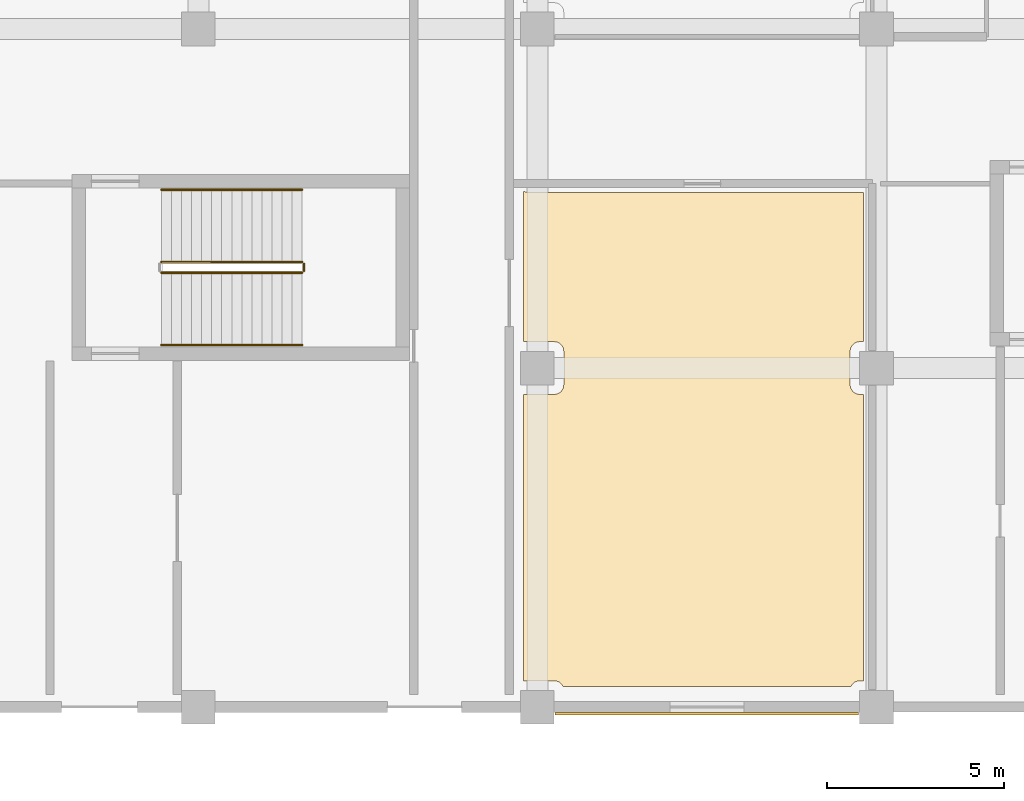
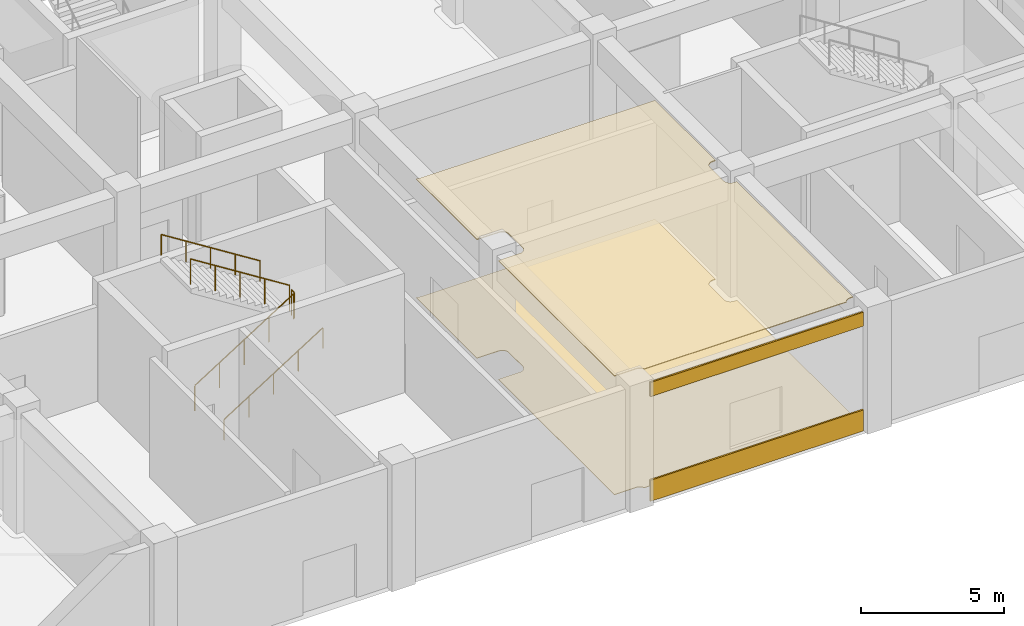
# One storey, part 47 of 74: 5 railings, 4 coverings.
"""IFC4 building model written with IfcOpenShell, lengths in metres."""

from ifc_helpers import new_model, si_unit, direction, frame, origin, origin_2d, place, context, subcontext, project, spatial, polyline, rectangle, circle, outline, extrude, material, layer, layer_set, type_object, element, save


model = new_model("IFC4")

# Units and contexts
model_context = context("Model", 3, precision=1e-05, world=origin(), true_north=direction((0.0, 1.0)))
body_context = subcontext(model_context, "Body", "Model", "MODEL_VIEW")
ifc_project = project(units=[si_unit("LENGTHUNIT", "METRE"), si_unit("AREAUNIT", "SQUARE_METRE"), si_unit("VOLUMEUNIT", "CUBIC_METRE"), si_unit("PLANEANGLEUNIT", "RADIAN"), si_unit("MASSUNIT", "GRAM", prefix="KILO")], contexts=[model_context])

# Site, building, storey
site_placement = place(None, origin())
site = spatial("IfcSite", under=ifc_project, at=site_placement, CompositionType="ELEMENT")
building_placement = place(site_placement, origin())
building = spatial("IfcBuilding", under=site, at=building_placement, Name="Cendralis Terraced Arcade", CompositionType="ELEMENT")
storey_placement = place(building_placement, origin())
storey = spatial("IfcBuildingStorey", under=building, at=storey_placement, Name="L00", CompositionType="ELEMENT", Elevation=0.0)

# Coverings
ifc_material_1 = material(Name="Warm Andean oak timber", Category="wood")
ifc_layer_1 = layer(ifc_material_1, 0.034912109375, Name="COV-CEIL-OAK-35")
ifc_layer_set_1 = layer_set([ifc_layer_1], Name="Warm Andean oak timber")
covering_type_1 = type_object("IfcCoveringType", Name="COV-CEIL-OAK-35", PredefinedType="CEILING", material=ifc_layer_set_1)
covering_1_placement = place(storey_placement, frame((0.0, 0.0, 5.054931640625)))
element("IfcCovering", 1, at=covering_1_placement, inside=storey, type_object=covering_type_1, Name="Acoustic Soffit Ceiling L00-031", PredefinedType="CEILING", context=body_context, shape_type="SweptSolid", body=[
    extrude(outline(polyline([(58.074951171875, 8.85498046875), (58.08740234375, 8.855224609375), (58.089111328125, 8.85546875), (58.113525390625, 8.85791015625), (58.115478515625, 8.858154296875), (58.1396484375, 8.86279296875), (58.1416015625, 8.86328125), (58.1650390625, 8.87060546875), (58.1669921875, 8.87109375), (58.189453125, 8.880615234375), (58.19140625, 8.88134765625), (58.212890625, 8.892822265625), (58.214599609375, 8.893798828125), (58.235107421875, 8.90771484375), (58.236572265625, 8.90869140625), (58.255615234375, 8.92431640625), (58.257080078125, 8.925537109375), (58.2744140625, 8.943115234375), (58.275634765625, 8.9443359375), (58.291259765625, 8.96337890625), (58.29248046875, 8.965087890625), (58.30615234375, 8.9853515625), (58.30712890625, 8.987060546875), (58.318603515625, 9.0087890625), (58.319580078125, 9.010498046875), (58.328857421875, 9.033203125), (58.32958984375, 9.034912109375), (58.336669921875, 9.058349609375), (58.337158203125, 9.060302734375), (58.341796875, 9.08447265625), (58.34228515625, 9.08642578125), (58.344482421875, 9.11083984375), (58.3447265625, 9.11279296875), (58.344970703125, 9.125), (58.344970703125, 10.074951171875), (58.3447265625, 10.08740234375), (58.344482421875, 10.089111328125), (58.34228515625, 10.113525390625), (58.341796875, 10.115478515625), (58.337158203125, 10.1396484375), (58.336669921875, 10.1416015625), (58.32958984375, 10.1650390625), (58.328857421875, 10.1669921875), (58.319580078125, 10.189453125), (58.318603515625, 10.19140625), (58.30712890625, 10.212890625), (58.30615234375, 10.214599609375), (58.29248046875, 10.235107421875), (58.291259765625, 10.236572265625), (58.275634765625, 10.255615234375), (58.2744140625, 10.257080078125), (58.257080078125, 10.2744140625), (58.255615234375, 10.275634765625), (58.236572265625, 10.291259765625), (58.235107421875, 10.29248046875), (58.214599609375, 10.30615234375), (58.212890625, 10.30712890625), (58.19140625, 10.318603515625), (58.189453125, 10.319580078125), (58.1669921875, 10.328857421875), (58.1650390625, 10.32958984375), (58.1416015625, 10.336669921875), (58.1396484375, 10.337158203125), (58.115478515625, 10.341796875), (58.113525390625, 10.34228515625), (58.089111328125, 10.344482421875), (58.08740234375, 10.3447265625), (58.074951171875, 10.344970703125), (57.2099609375, 10.344970703125), (57.2099609375, 14.59912109375), (57.219970703125, 14.5966796875), (57.22607421875, 14.59521484375), (57.231689453125, 14.593994140625), (57.23779296875, 14.592529296875), (57.249267578125, 14.59033203125), (57.25537109375, 14.589111328125), (57.260986328125, 14.588134765625), (57.26708984375, 14.587158203125), (57.327392578125, 14.578369140625), (57.33349609375, 14.577392578125), (57.33935546875, 14.57666015625), (57.345458984375, 14.576171875), (57.357177734375, 14.574951171875), (57.36328125, 14.574462890625), (57.369140625, 14.573974609375), (57.375244140625, 14.573486328125), (57.43603515625, 14.570556640625), (57.43896484375, 14.570556640625), (57.44189453125, 14.5703125), (57.445068359375, 14.5703125), (57.450927734375, 14.570068359375), (57.4541015625, 14.570068359375), (57.456787109375, 14.570068359375), (57.4599609375, 14.570068359375), (66.830078125, 14.570068359375), (66.830078125, 10.344970703125), (66.72509765625, 10.344970703125), (66.712646484375, 10.3447265625), (66.710693359375, 10.344482421875), (66.686279296875, 10.34228515625), (66.684326171875, 10.341796875), (66.660400390625, 10.337158203125), (66.658447265625, 10.336669921875), (66.635009765625, 10.32958984375), (66.633056640625, 10.328857421875), (66.610595703125, 10.319580078125), (66.608642578125, 10.318603515625), (66.5869140625, 10.30712890625), (66.58544921875, 10.30615234375), (66.56494140625, 10.29248046875), (66.5634765625, 10.291259765625), (66.54443359375, 10.275634765625), (66.54296875, 10.2744140625), (66.525634765625, 10.257080078125), (66.5244140625, 10.255615234375), (66.5087890625, 10.236572265625), (66.507568359375, 10.235107421875), (66.493896484375, 10.214599609375), (66.492919921875, 10.212890625), (66.4814453125, 10.19140625), (66.48046875, 10.189453125), (66.47119140625, 10.1669921875), (66.470458984375, 10.1650390625), (66.46337890625, 10.1416015625), (66.462890625, 10.1396484375), (66.4580078125, 10.115478515625), (66.457763671875, 10.113525390625), (66.455322265625, 10.089111328125), (66.455322265625, 10.08740234375), (66.455078125, 10.074951171875), (66.455078125, 9.125), (66.455322265625, 9.11279296875), (66.455322265625, 9.11083984375), (66.457763671875, 9.08642578125), (66.4580078125, 9.08447265625), (66.462890625, 9.060302734375), (66.46337890625, 9.058349609375), (66.470458984375, 9.034912109375), (66.47119140625, 9.033203125), (66.48046875, 9.010498046875), (66.4814453125, 9.0087890625), (66.492919921875, 8.987060546875), (66.493896484375, 8.9853515625), (66.507568359375, 8.965087890625), (66.5087890625, 8.96337890625), (66.5244140625, 8.9443359375), (66.525634765625, 8.943115234375), (66.54296875, 8.925537109375), (66.54443359375, 8.92431640625), (66.5634765625, 8.90869140625), (66.56494140625, 8.90771484375), (66.58544921875, 8.893798828125), (66.5869140625, 8.892822265625), (66.608642578125, 8.88134765625), (66.610595703125, 8.880615234375), (66.633056640625, 8.87109375), (66.635009765625, 8.87060546875), (66.658447265625, 8.86328125), (66.660400390625, 8.86279296875), (66.684326171875, 8.858154296875), (66.686279296875, 8.85791015625), (66.710693359375, 8.85546875), (66.712646484375, 8.855224609375), (66.72509765625, 8.85498046875), (66.830078125, 8.85498046875), (66.830078125, 0.7451171875), (66.72509765625, 0.7451171875), (66.712646484375, 0.74462890625), (66.710693359375, 0.74462890625), (66.686279296875, 0.7421875), (66.684326171875, 0.741943359375), (66.660400390625, 0.737060546875), (66.658447265625, 0.736572265625), (66.635009765625, 0.7294921875), (66.633056640625, 0.72900390625), (66.610595703125, 0.719482421875), (66.608642578125, 0.718505859375), (66.5869140625, 0.70703125), (66.58544921875, 0.7060546875), (66.56494140625, 0.6923828125), (66.5634765625, 0.69140625), (66.54443359375, 0.67578125), (66.54296875, 0.67431640625), (66.525634765625, 0.656982421875), (66.5244140625, 0.655517578125), (66.5087890625, 0.63671875), (66.507568359375, 0.635009765625), (66.493896484375, 0.614501953125), (66.492919921875, 0.613037109375), (66.4814453125, 0.59130859375), (66.480712890625, 0.590087890625), (58.3193359375, 0.590087890625), (58.318603515625, 0.59130859375), (58.30712890625, 0.613037109375), (58.30615234375, 0.614501953125), (58.29248046875, 0.635009765625), (58.291259765625, 0.63671875), (58.275634765625, 0.655517578125), (58.2744140625, 0.656982421875), (58.257080078125, 0.67431640625), (58.255615234375, 0.67578125), (58.236572265625, 0.69140625), (58.235107421875, 0.6923828125), (58.214599609375, 0.7060546875), (58.212890625, 0.70703125), (58.19140625, 0.718505859375), (58.189453125, 0.719482421875), (58.1669921875, 0.72900390625), (58.1650390625, 0.7294921875), (58.1416015625, 0.736572265625), (58.1396484375, 0.737060546875), (58.115478515625, 0.741943359375), (58.113525390625, 0.7421875), (58.089111328125, 0.74462890625), (58.08740234375, 0.74462890625), (58.074951171875, 0.7451171875), (57.2099609375, 0.7451171875), (57.2099609375, 8.85498046875), (58.074951171875, 8.85498046875)])), origin(), (0.0, 0.0, 1.0), 0.03515625),
])
ifc_material_2 = material(Name="Precast concrete f'c 40 MPa", Category="concrete")
ifc_layer_2 = layer(ifc_material_2, 0.06494140625, Name="COV-CLAD-GRC-65")
ifc_layer_set_2 = layer_set([ifc_layer_2], Name="Precast concrete f'c 40 MPa")
covering_type_2 = type_object("IfcCoveringType", Name="COV-CLAD-GRC-65", PredefinedType="CLADDING", material=ifc_layer_set_2)
covering_2_placement = place(storey_placement, frame((62.39990234375, -0.18994140625, 0.0), z_axis=(0.0, 0.0, 1.0), x_axis=(-1.0, 0.0, 0.0)))
element("IfcCovering", 2, at=covering_2_placement, inside=storey, type_object=covering_type_2, Name="Banded Precast Stone Spandrel Cladding L00-009", PredefinedType="CLADDING", context=body_context, shape_type="SweptSolid", body=[
    extrude(rectangle(XDim=8.593994140625, YDim=0.06494140625, at=origin_2d()), origin(), (0.0, 0.0, 1.0), 0.89990234375),
])
covering_3_placement = place(storey_placement, frame((62.39990234375, -0.18994140625, 4.469970703125), z_axis=(0.0, 0.0, 1.0), x_axis=(-1.0, 0.0, 0.0)))
element("IfcCovering", 3, at=covering_3_placement, inside=storey, type_object=covering_type_2, Name="Banded Precast Stone Lintel Cladding L00-010", PredefinedType="CLADDING", context=body_context, shape_type="SweptSolid", body=[
    extrude(rectangle(XDim=8.593994140625, YDim=0.06494140625, at=origin_2d()), origin(), (0.0, 0.0, 1.0), 0.60009765625),
])
ifc_layer_3 = layer(ifc_material_1, 0.02197265625, Name="COV-FLR-OAK-22")
ifc_layer_set_3 = layer_set([ifc_layer_3], Name="Warm Andean oak timber")
covering_type_3 = type_object("IfcCoveringType", Name="COV-FLR-OAK-22", PredefinedType="FLOORING", material=ifc_layer_set_3)
covering_4_placement = place(storey_placement, origin())
element("IfcCovering", 4, at=covering_4_placement, inside=storey, type_object=covering_type_3, Name="Interior Finish Flooring L00-031", PredefinedType="FLOORING", context=body_context, shape_type="SweptSolid", body=[
    extrude(outline(polyline([(58.074951171875, 8.85498046875), (58.08740234375, 8.855224609375), (58.089111328125, 8.85546875), (58.113525390625, 8.85791015625), (58.115478515625, 8.858154296875), (58.1396484375, 8.86279296875), (58.1416015625, 8.86328125), (58.1650390625, 8.87060546875), (58.1669921875, 8.87109375), (58.189453125, 8.880615234375), (58.19140625, 8.88134765625), (58.212890625, 8.892822265625), (58.214599609375, 8.893798828125), (58.235107421875, 8.90771484375), (58.236572265625, 8.90869140625), (58.255615234375, 8.92431640625), (58.257080078125, 8.925537109375), (58.2744140625, 8.943115234375), (58.275634765625, 8.9443359375), (58.291259765625, 8.96337890625), (58.29248046875, 8.965087890625), (58.30615234375, 8.9853515625), (58.30712890625, 8.987060546875), (58.318603515625, 9.0087890625), (58.319580078125, 9.010498046875), (58.328857421875, 9.033203125), (58.32958984375, 9.034912109375), (58.336669921875, 9.058349609375), (58.337158203125, 9.060302734375), (58.341796875, 9.08447265625), (58.34228515625, 9.08642578125), (58.344482421875, 9.11083984375), (58.3447265625, 9.11279296875), (58.344970703125, 9.125), (58.344970703125, 10.074951171875), (58.3447265625, 10.08740234375), (58.344482421875, 10.089111328125), (58.34228515625, 10.113525390625), (58.341796875, 10.115478515625), (58.337158203125, 10.1396484375), (58.336669921875, 10.1416015625), (58.32958984375, 10.1650390625), (58.328857421875, 10.1669921875), (58.319580078125, 10.189453125), (58.318603515625, 10.19140625), (58.30712890625, 10.212890625), (58.30615234375, 10.214599609375), (58.29248046875, 10.235107421875), (58.291259765625, 10.236572265625), (58.275634765625, 10.255615234375), (58.2744140625, 10.257080078125), (58.257080078125, 10.2744140625), (58.255615234375, 10.275634765625), (58.236572265625, 10.291259765625), (58.235107421875, 10.29248046875), (58.214599609375, 10.30615234375), (58.212890625, 10.30712890625), (58.19140625, 10.318603515625), (58.189453125, 10.319580078125), (58.1669921875, 10.328857421875), (58.1650390625, 10.32958984375), (58.1416015625, 10.336669921875), (58.1396484375, 10.337158203125), (58.115478515625, 10.341796875), (58.113525390625, 10.34228515625), (58.089111328125, 10.344482421875), (58.08740234375, 10.3447265625), (58.074951171875, 10.344970703125), (57.2099609375, 10.344970703125), (57.2099609375, 14.59912109375), (57.219970703125, 14.5966796875), (57.22607421875, 14.59521484375), (57.231689453125, 14.593994140625), (57.23779296875, 14.592529296875), (57.249267578125, 14.59033203125), (57.25537109375, 14.589111328125), (57.260986328125, 14.588134765625), (57.26708984375, 14.587158203125), (57.327392578125, 14.578369140625), (57.33349609375, 14.577392578125), (57.33935546875, 14.57666015625), (57.345458984375, 14.576171875), (57.357177734375, 14.574951171875), (57.36328125, 14.574462890625), (57.369140625, 14.573974609375), (57.375244140625, 14.573486328125), (57.43603515625, 14.570556640625), (57.43896484375, 14.570556640625), (57.44189453125, 14.5703125), (57.445068359375, 14.5703125), (57.450927734375, 14.570068359375), (57.4541015625, 14.570068359375), (57.456787109375, 14.570068359375), (57.4599609375, 14.570068359375), (66.830078125, 14.570068359375), (66.830078125, 10.344970703125), (66.72509765625, 10.344970703125), (66.712646484375, 10.3447265625), (66.710693359375, 10.344482421875), (66.686279296875, 10.34228515625), (66.684326171875, 10.341796875), (66.660400390625, 10.337158203125), (66.658447265625, 10.336669921875), (66.635009765625, 10.32958984375), (66.633056640625, 10.328857421875), (66.610595703125, 10.319580078125), (66.608642578125, 10.318603515625), (66.5869140625, 10.30712890625), (66.58544921875, 10.30615234375), (66.56494140625, 10.29248046875), (66.5634765625, 10.291259765625), (66.54443359375, 10.275634765625), (66.54296875, 10.2744140625), (66.525634765625, 10.257080078125), (66.5244140625, 10.255615234375), (66.5087890625, 10.236572265625), (66.507568359375, 10.235107421875), (66.493896484375, 10.214599609375), (66.492919921875, 10.212890625), (66.4814453125, 10.19140625), (66.48046875, 10.189453125), (66.47119140625, 10.1669921875), (66.470458984375, 10.1650390625), (66.46337890625, 10.1416015625), (66.462890625, 10.1396484375), (66.4580078125, 10.115478515625), (66.457763671875, 10.113525390625), (66.455322265625, 10.089111328125), (66.455322265625, 10.08740234375), (66.455078125, 10.074951171875), (66.455078125, 9.125), (66.455322265625, 9.11279296875), (66.455322265625, 9.11083984375), (66.457763671875, 9.08642578125), (66.4580078125, 9.08447265625), (66.462890625, 9.060302734375), (66.46337890625, 9.058349609375), (66.470458984375, 9.034912109375), (66.47119140625, 9.033203125), (66.48046875, 9.010498046875), (66.4814453125, 9.0087890625), (66.492919921875, 8.987060546875), (66.493896484375, 8.9853515625), (66.507568359375, 8.965087890625), (66.5087890625, 8.96337890625), (66.5244140625, 8.9443359375), (66.525634765625, 8.943115234375), (66.54296875, 8.925537109375), (66.54443359375, 8.92431640625), (66.5634765625, 8.90869140625), (66.56494140625, 8.90771484375), (66.58544921875, 8.893798828125), (66.5869140625, 8.892822265625), (66.608642578125, 8.88134765625), (66.610595703125, 8.880615234375), (66.633056640625, 8.87109375), (66.635009765625, 8.87060546875), (66.658447265625, 8.86328125), (66.660400390625, 8.86279296875), (66.684326171875, 8.858154296875), (66.686279296875, 8.85791015625), (66.710693359375, 8.85546875), (66.712646484375, 8.855224609375), (66.72509765625, 8.85498046875), (66.830078125, 8.85498046875), (66.830078125, 0.7451171875), (66.72509765625, 0.7451171875), (66.712646484375, 0.74462890625), (66.710693359375, 0.74462890625), (66.686279296875, 0.7421875), (66.684326171875, 0.741943359375), (66.660400390625, 0.737060546875), (66.658447265625, 0.736572265625), (66.635009765625, 0.7294921875), (66.633056640625, 0.72900390625), (66.610595703125, 0.719482421875), (66.608642578125, 0.718505859375), (66.5869140625, 0.70703125), (66.58544921875, 0.7060546875), (66.56494140625, 0.6923828125), (66.5634765625, 0.69140625), (66.54443359375, 0.67578125), (66.54296875, 0.67431640625), (66.525634765625, 0.656982421875), (66.5244140625, 0.655517578125), (66.5087890625, 0.63671875), (66.507568359375, 0.635009765625), (66.493896484375, 0.614501953125), (66.492919921875, 0.613037109375), (66.4814453125, 0.59130859375), (66.480712890625, 0.590087890625), (58.3193359375, 0.590087890625), (58.318603515625, 0.59130859375), (58.30712890625, 0.613037109375), (58.30615234375, 0.614501953125), (58.29248046875, 0.635009765625), (58.291259765625, 0.63671875), (58.275634765625, 0.655517578125), (58.2744140625, 0.656982421875), (58.257080078125, 0.67431640625), (58.255615234375, 0.67578125), (58.236572265625, 0.69140625), (58.235107421875, 0.6923828125), (58.214599609375, 0.7060546875), (58.212890625, 0.70703125), (58.19140625, 0.718505859375), (58.189453125, 0.719482421875), (58.1669921875, 0.72900390625), (58.1650390625, 0.7294921875), (58.1416015625, 0.736572265625), (58.1396484375, 0.737060546875), (58.115478515625, 0.741943359375), (58.113525390625, 0.7421875), (58.089111328125, 0.74462890625), (58.08740234375, 0.74462890625), (58.074951171875, 0.7451171875), (57.2099609375, 0.7451171875), (57.2099609375, 8.85498046875), (58.074951171875, 8.85498046875)])), origin(), (0.0, 0.0, 1.0), 0.02197265625),
])

# Railings
ifc_material_3 = material(Name="Brushed stainless steel AISI 316", Category="steel")
railing_type_1 = type_object("IfcRailingType", Name="RL-STAIR-GUARD-1100", PredefinedType="GUARDRAIL", material=ifc_material_3)
railing_1_placement = place(storey_placement, frame((46.949951171875, 12.300048828125, 0.179931640625)))
element("IfcRailing", 5, at=railing_1_placement, inside=storey, type_object=railing_type_1, Name="L00 ST-03 stair guard 1", PredefinedType="GUARDRAIL", context=body_context, shape_type="SweptSolid", body=[
    extrude(circle(Radius=0.02392578125, at=origin_2d()), frame((0.0, 0.0, 1.076171875), z_axis=(0.845486444383, 0.0, 0.533996884227), x_axis=(0.0, 1.0, 0.0)), (0.0, 0.0, 1.0), 4.71923828125),
    extrude(circle(Radius=0.02099609375, at=origin_2d()), origin(), (0.0, 0.0, 1.0), 1.052001953125),
    extrude(circle(Radius=0.02099609375, at=origin_2d()), frame((0.99755859375, 0.0, 0.6298828125)), (0.0, 0.0, 1.0), 1.052001953125),
    extrude(circle(Radius=0.02099609375, at=origin_2d()), frame((1.9951171875, 0.0, 1.260009765625)), (0.0, 0.0, 1.0), 1.052001953125),
    extrude(circle(Radius=0.02099609375, at=origin_2d()), frame((2.992431640625, 0.0, 1.89013671875)), (0.0, 0.0, 1.0), 1.052001953125),
    extrude(circle(Radius=0.02099609375, at=origin_2d()), frame((3.989990234375, 0.0, 2.52001953125)), (0.0, 0.0, 1.0), 1.052001953125),
])
railing_2_placement = place(storey_placement, frame((50.989990234375, 12.35009765625, 2.699951171875)))
element("IfcRailing", 6, at=railing_2_placement, inside=storey, type_object=railing_type_1, Name="L00 ST-03 stair guard 2", PredefinedType="GUARDRAIL", context=body_context, shape_type="SweptSolid", body=[
    extrude(circle(Radius=0.02392578125, at=origin_2d()), frame((0.0, 0.0, 1.076171875), z_axis=(0.0, 1.0, 0.0), x_axis=(-1.0, 0.0, 0.0)), (0.0, 0.0, 1.0), 0.199951171875),
    extrude(circle(Radius=0.02099609375, at=origin_2d()), origin(), (0.0, 0.0, 1.0), 1.052001953125),
    extrude(circle(Radius=0.02099609375, at=origin_2d()), frame((0.0, 0.199951171875, 0.0)), (0.0, 0.0, 1.0), 1.052001953125),
])
railing_3_placement = place(storey_placement, frame((50.93994140625, 12.60009765625, 2.8798828125)))
element("IfcRailing", 7, at=railing_3_placement, inside=storey, type_object=railing_type_1, Name="L00 ST-03 stair guard 3", PredefinedType="GUARDRAIL", context=body_context, shape_type="SweptSolid", body=[
    extrude(circle(Radius=0.02392578125, at=origin_2d()), frame((0.0, 0.0, 1.076171875), z_axis=(-0.845486444383, 0.0, 0.533996884227), x_axis=(0.0, -1.0, 0.0)), (0.0, 0.0, 1.0), 4.71923828125),
    extrude(circle(Radius=0.02099609375, at=origin_2d()), origin(), (0.0, 0.0, 1.0), 1.052001953125),
    extrude(circle(Radius=0.02099609375, at=origin_2d()), frame((-0.99755859375, 0.0, 0.6298828125)), (0.0, 0.0, 1.0), 1.052001953125),
    extrude(circle(Radius=0.02099609375, at=origin_2d()), frame((-1.9951171875, 0.0, 1.260009765625)), (0.0, 0.0, 1.0), 1.052001953125),
    extrude(circle(Radius=0.02099609375, at=origin_2d()), frame((-2.992431640625, 0.0, 1.89013671875)), (0.0, 0.0, 1.0), 1.052001953125),
    extrude(circle(Radius=0.02099609375, at=origin_2d()), frame((-3.989990234375, 0.0, 2.52001953125)), (0.0, 0.0, 1.0), 1.052001953125),
])
railing_type_2 = type_object("IfcRailingType", Name="RL-STAIR-HAND-900", PredefinedType="HANDRAIL", material=ifc_material_3)
railing_4_placement = place(storey_placement, frame((46.949951171875, 10.25, 0.179931640625)))
element("IfcRailing", 8, at=railing_4_placement, inside=storey, type_object=railing_type_2, Name="L00 ST-03 stair handrail 1", PredefinedType="HANDRAIL", context=body_context, shape_type="SweptSolid", body=[
    extrude(circle(Radius=0.02392578125, at=origin_2d()), frame((0.0, 0.0, 0.8759765625), z_axis=(0.845486444383, 0.0, 0.533996884227), x_axis=(0.0, 1.0, 0.0)), (0.0, 0.0, 1.0), 4.71923828125),
    extrude(circle(Radius=0.02099609375, at=origin_2d()), origin(), (0.0, 0.0, 1.0), 0.851806640625),
    extrude(circle(Radius=0.02099609375, at=origin_2d()), frame((0.99755859375, 0.0, 0.6298828125)), (0.0, 0.0, 1.0), 0.851806640625),
    extrude(circle(Radius=0.02099609375, at=origin_2d()), frame((1.9951171875, 0.0, 1.260009765625)), (0.0, 0.0, 1.0), 0.851806640625),
    extrude(circle(Radius=0.02099609375, at=origin_2d()), frame((2.992431640625, 0.0, 1.89013671875)), (0.0, 0.0, 1.0), 0.851806640625),
    extrude(circle(Radius=0.02099609375, at=origin_2d()), frame((3.989990234375, 0.0, 2.52001953125)), (0.0, 0.0, 1.0), 0.851806640625),
])
railing_5_placement = place(storey_placement, frame((50.93994140625, 14.64990234375, 2.8798828125)))
element("IfcRailing", 9, at=railing_5_placement, inside=storey, type_object=railing_type_2, Name="L00 ST-03 stair handrail 2", PredefinedType="HANDRAIL", context=body_context, shape_type="SweptSolid", body=[
    extrude(circle(Radius=0.02392578125, at=origin_2d()), frame((0.0, 0.0, 0.8759765625), z_axis=(-0.845486444383, 0.0, 0.533996884227), x_axis=(0.0, -1.0, 0.0)), (0.0, 0.0, 1.0), 4.71923828125),
    extrude(circle(Radius=0.02099609375, at=origin_2d()), origin(), (0.0, 0.0, 1.0), 0.851806640625),
    extrude(circle(Radius=0.02099609375, at=origin_2d()), frame((-0.99755859375, 0.0, 0.6298828125)), (0.0, 0.0, 1.0), 0.851806640625),
    extrude(circle(Radius=0.02099609375, at=origin_2d()), frame((-1.9951171875, 0.0, 1.260009765625)), (0.0, 0.0, 1.0), 0.851806640625),
    extrude(circle(Radius=0.02099609375, at=origin_2d()), frame((-2.992431640625, 0.0, 1.89013671875)), (0.0, 0.0, 1.0), 0.851806640625),
    extrude(circle(Radius=0.02099609375, at=origin_2d()), frame((-3.989990234375, 0.0, 2.52001953125)), (0.0, 0.0, 1.0), 0.851806640625),
])

save(model, "model.ifc")
